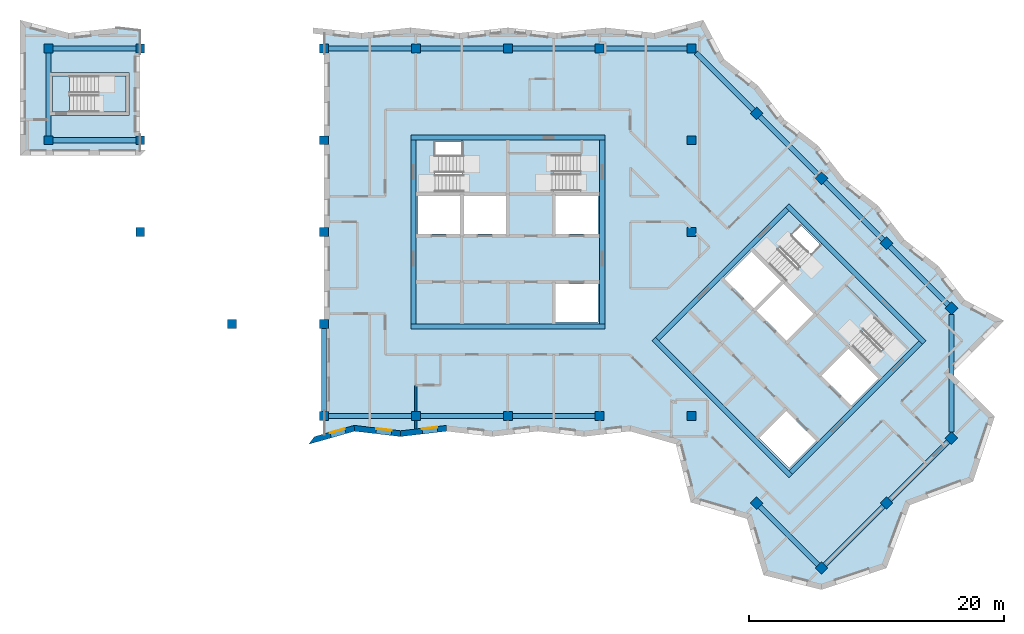
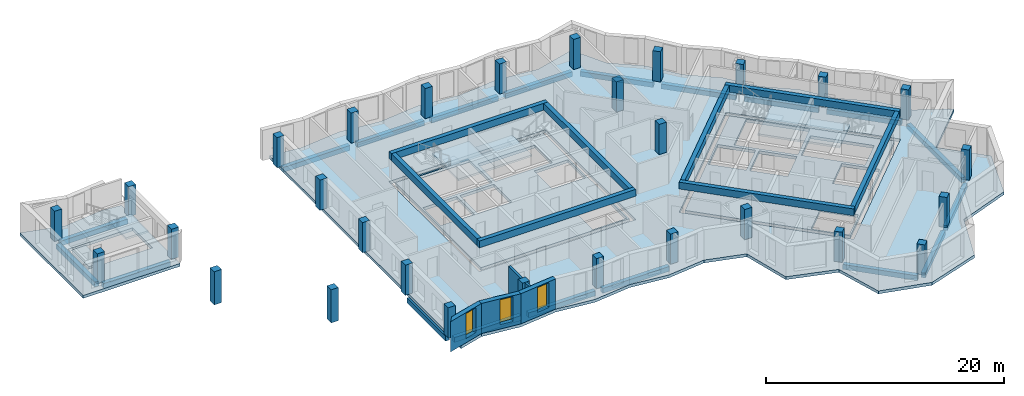
# One storey, part 1 of 12: 29 columns, 27 beams, 10 slabs, 5 walls, 3 windows, 18 openings, 5 elements without a shape of their own.
"""IFC4 building model written with IfcOpenShell, lengths in metres."""

from ifc_helpers import new_model, si_unit, direction, frame, frame_2d, origin, origin_2d, place, context, subcontext, project, spatial, polyline, rectangle, outline, extrude, material, layer, layer_set, material_profile, profile_set, type_object, element, fill, aggregate, save


model = new_model("IFC4")

# Units and contexts
model_context = context("Model", 3, precision=1e-05, world=origin(), true_north=direction((0.0, 1.0)))
body_context = subcontext(model_context, "Body", "Model", "MODEL_VIEW")
ifc_project = project(units=[si_unit("LENGTHUNIT", "METRE"), si_unit("AREAUNIT", "SQUARE_METRE"), si_unit("VOLUMEUNIT", "CUBIC_METRE"), si_unit("PLANEANGLEUNIT", "RADIAN"), si_unit("MASSUNIT", "GRAM", prefix="KILO")], contexts=[model_context])

# Site, building, storey
site_placement = place(None, origin())
site = spatial("IfcSite", under=ifc_project, at=site_placement, CompositionType="ELEMENT")
building_placement = place(site_placement, origin())
building = spatial("IfcBuilding", under=site, at=building_placement, Name="Windrow Commons", CompositionType="ELEMENT")
storey_placement = place(building_placement, frame((0.0, 0.0, 257.4)))
storey = spatial("IfcBuildingStorey", under=building, at=storey_placement, Name="L70", CompositionType="ELEMENT", Elevation=257.4)

# Columns
ifc_material_1 = material(Name="Concrete C40/50", Category="concrete")
ifc_material_profile_1 = material_profile(ifc_material_1, rectangle(XDim=0.7, YDim=0.7, at=origin_2d()))
ifc_profile_set_1 = profile_set([ifc_material_profile_1], Name="Concrete C40/50")
column_type = type_object("IfcColumnType", Name="RC COLUMN 700x700 C40/50", PredefinedType="COLUMN", material=ifc_profile_set_1)
for number, where, z_axis, x_axis, name in (
    (1, (28.8, 64.8, 0.0), (0.0, 0.0, 1.0), (1.0, 0.0, 0.0), "C-Z5-05I"),
    (2, (28.8, 72.0, 0.0), (0.0, 0.0, 1.0), (1.0, 0.0, 0.0), "C-Z5-05J"),
    (3, (36.0, 64.8, 0.0), (0.0, 0.0, 1.0), (1.0, 0.0, 0.0), "C-Z5-06I"),
    (4, (36.0, 72.0, 0.0), (0.0, 0.0, 1.0), (1.0, 0.0, 0.0), "C-Z5-06J"),
    (5, (50.4, 43.2, 0.0), (0.0, 0.0, 1.0), (1.0, 0.0, 0.0), "C-Z5-08F"),
    (6, (50.4, 50.4, 0.0), (0.0, 0.0, 1.0), (1.0, 0.0, 0.0), "C-Z5-08G"),
    (7, (50.4, 57.6, 0.0), (0.0, 0.0, 1.0), (1.0, 0.0, 0.0), "C-Z5-08H"),
    (8, (50.4, 64.8, 0.0), (0.0, 0.0, 1.0), (1.0, 0.0, 0.0), "C-Z5-08I"),
    (9, (50.4, 72.0, 0.0), (0.0, 0.0, 1.0), (1.0, 0.0, 0.0), "C-Z5-08J"),
    (10, (57.6, 43.2, 0.0), (0.0, 0.0, 1.0), (1.0, 0.0, 0.0), "C-Z5-09F"),
    (11, (57.6, 72.0, 0.0), (0.0, 0.0, 1.0), (1.0, 0.0, 0.0), "C-Z5-09J"),
    (12, (64.8, 43.2, 0.0), (0.0, 0.0, 1.0), (1.0, 0.0, 0.0), "C-Z5-10F"),
    (13, (64.8, 72.0, 0.0), (0.0, 0.0, 1.0), (1.0, 0.0, 0.0), "C-Z5-10J"),
    (14, (72.0, 43.2, 0.0), (0.0, 0.0, 1.0), (1.0, 0.0, 0.0), "C-Z5-11F"),
    (15, (72.0, 72.0, 0.0), (0.0, 0.0, 1.0), (1.0, 0.0, 0.0), "C-Z5-11J"),
    (16, (79.2, 43.2, 0.0), (0.0, 0.0, 1.0), (1.0, 0.0, 0.0), "C-Z5-12F"),
    (17, (79.2, 57.6, 0.0), (0.0, 0.0, 1.0), (1.0, 0.0, 0.0), "C-Z5-12H"),
    (18, (79.2, 64.8, 0.0), (0.0, 0.0, 1.0), (1.0, 0.0, 0.0), "C-Z5-12I"),
    (19, (79.2, 72.0, 0.0), (0.0, 0.0, 1.0), (1.0, 0.0, 0.0), "C-Z5-12J"),
    (20, (84.2912, 66.9088, 0.0), (0.0, 0.0, 1.0), (0.7071067812, -0.7071067812, 0.0), "C-Z5-P2Q"),
    (21, (89.3823, 61.8177, 0.0), (0.0, 0.0, 1.0), (0.7071067812, -0.7071067812, 0.0), "C-Z5-P3Q"),
    (22, (94.4735, 56.7265, 0.0), (0.0, 0.0, 1.0), (0.7071067812, -0.7071067812, 0.0), "C-Z5-P4Q"),
    (23, (99.5647, 51.6353, 0.0), (0.0, 0.0, 1.0), (0.7071067812, -0.7071067812, 0.0), "C-Z5-P5Q"),
    (24, (84.2912, 36.3618, 0.0), (0.0, 0.0, 1.0), (0.7071067812, -0.7071067812, 0.0), "C-Z5-P5T"),
    (25, (99.5647, 41.453, 0.0), (0.0, 0.0, 1.0), (0.7071067812, -0.7071067812, 0.0), "C-Z5-P6R"),
    (26, (94.4735, 36.3618, 0.0), (0.0, 0.0, 1.0), (0.7071067812, -0.7071067812, 0.0), "C-Z5-P6S"),
    (27, (89.3823, 31.2706, 0.0), (0.0, 0.0, 1.0), (0.7071067812, -0.7071067812, 0.0), "C-Z5-P6T"),
):
    element("IfcColumn", number, at=place(storey_placement, frame(where, z_axis=z_axis, x_axis=x_axis)), inside=storey, type_object=column_type, Name=name, PredefinedType="COLUMN", context=body_context, shape_type="SweptSolid", body=[
        extrude(rectangle(XDim=0.7, YDim=0.7, at=origin_2d()), origin(), (0.0, 0.0, 1.0), 3.1),
    ])
for number, where, z_axis, x_axis, name in (
    (28, (36.0, 57.6, -0.3), (0.0, 0.0, 1.0), (1.0, 0.0, 0.0), "C-Z5-06H"),
    (29, (43.2, 50.4, -0.3), (0.0, 0.0, 1.0), (1.0, 0.0, 0.0), "C-Z5-07G"),
):
    element("IfcColumn", number, at=place(storey_placement, frame(where, z_axis=z_axis, x_axis=x_axis)), inside=storey, type_object=column_type, Name=name, PredefinedType="COLUMN", context=body_context, shape_type="SweptSolid", body=[
        extrude(rectangle(XDim=0.7, YDim=0.7, at=origin_2d()), origin(), (0.0, 0.0, 1.0), 3.4),
    ])

# Beams
ifc_material_2 = material(Name="Concrete C40/50", Category="concrete")
ifc_material_profile_2 = material_profile(ifc_material_2, rectangle(XDim=0.4, YDim=0.7, at=origin_2d()))
ifc_profile_set_2 = profile_set([ifc_material_profile_2], Name="Concrete C40/50")
beam_type_1 = type_object("IfcBeamType", Name="RC COUPLING BEAM 400x700 C40/50", PredefinedType="LINTEL", material=ifc_profile_set_2)
for number, where, z_axis, x_axis, name in (
    (30, (57.2, 50.2, 2.75), (1.0, 0.0, 0.0), (0.0, 1.0, 0.0), "Core A coupling beam outer-S"),
    (31, (57.2, 65.0, 2.75), (1.0, 0.0, 0.0), (0.0, 1.0, 0.0), "Core A coupling beam outer-N"),
):
    element("IfcBeam", number, at=place(storey_placement, frame(where, z_axis=z_axis, x_axis=x_axis)), inside=storey, type_object=beam_type_1, Name=name, PredefinedType="LINTEL", context=body_context, shape_type="SweptSolid", body=[
        extrude(rectangle(XDim=0.4, YDim=0.7, at=origin_2d()), origin(), (0.0, 0.0, 1.0), 15.2),
    ])
for number, where, z_axis, x_axis, name in (
    (32, (57.4, 50.4, 2.75), (0.0, 1.0, 0.0), (-1.0, 0.0, 0.0), "Core A coupling beam outer-W"),
    (33, (72.2, 50.4, 2.75), (0.0, 1.0, 0.0), (-1.0, 0.0, 0.0), "Core A coupling beam outer-E"),
):
    element("IfcBeam", number, at=place(storey_placement, frame(where, z_axis=z_axis, x_axis=x_axis)), inside=storey, type_object=beam_type_1, Name=name, PredefinedType="LINTEL", context=body_context, shape_type="SweptSolid", body=[
        extrude(rectangle(XDim=0.4, YDim=0.7, at=origin_2d()), origin(), (0.0, 0.0, 1.0), 14.4),
    ])
for number, where, z_axis, x_axis, name in (
    (34, (76.2302, 49.2312, 2.75), (0.7071034917, -0.7071100706, 0.0), (0.7071100706, 0.7071034917, 0.0), "Core B coupling beam outer-S"),
    (35, (86.6953, 59.6963, 2.75), (0.7071100706, -0.7071034917, 0.0), (0.7071034917, 0.7071100706, 0.0), "Core B coupling beam outer-N"),
):
    element("IfcBeam", number, at=place(storey_placement, frame(where, z_axis=z_axis, x_axis=x_axis)), inside=storey, type_object=beam_type_1, Name=name, PredefinedType="LINTEL", context=body_context, shape_type="SweptSolid", body=[
        extrude(rectangle(XDim=0.4, YDim=0.7, at=origin_2d()), origin(), (0.0, 0.0, 1.0), 15.2),
    ])
for number, where, z_axis, x_axis, name in (
    (36, (76.513, 49.2312, 2.75), (0.7071067812, 0.7071067812, 0.0), (-0.7071067812, 0.7071067812, 0.0), "Core B coupling beam outer-W"),
    (37, (86.9782, 38.766, 2.75), (0.7071067812, 0.7071067812, 0.0), (-0.7071067812, 0.7071067812, 0.0), "Core B coupling beam outer-E"),
):
    element("IfcBeam", number, at=place(storey_placement, frame(where, z_axis=z_axis, x_axis=x_axis)), inside=storey, type_object=beam_type_1, Name=name, PredefinedType="LINTEL", context=body_context, shape_type="SweptSolid", body=[
        extrude(rectangle(XDim=0.4, YDim=0.7, at=origin_2d()), origin(), (0.0, 0.0, 1.0), 14.3999),
    ])
ifc_material_3 = material(Name="Concrete C40/50", Category="concrete")
ifc_material_profile_3 = material_profile(ifc_material_3, rectangle(XDim=0.4, YDim=0.5, at=origin_2d()))
ifc_profile_set_3 = profile_set([ifc_material_profile_3], Name="Concrete C40/50")
beam_type_2 = type_object("IfcBeamType", Name="RC EDGE BEAM 400x500 C40/50", PredefinedType="SPANDREL", material=ifc_profile_set_3)
for number, where, z_axis, x_axis, name in (
    (38, (57.25, 43.2, -0.55), (-1.0, 0.0, 0.0), (0.0, -1.0, 0.0), "Edge beam L70 001"),
    (39, (50.4, 43.55, -0.55), (0.0, 1.0, 0.0), (-1.0, 0.0, 0.0), "Edge beam L70 002"),
    (40, (35.65, 64.8, -0.55), (-1.0, 0.0, 0.0), (0.0, -1.0, 0.0), "Edge beam L70 003"),
    (41, (28.8, 65.15, -0.55), (0.0, 1.0, 0.0), (-1.0, 0.0, 0.0), "Edge beam L70 004"),
    (42, (29.15, 72.0, -0.55), (1.0, 0.0, 0.0), (0.0, 1.0, 0.0), "Edge beam L70 005"),
    (43, (50.75, 72.0, -0.55), (1.0, 0.0, 0.0), (0.0, 1.0, 0.0), "Edge beam L70 006"),
    (44, (57.95, 72.0, -0.55), (1.0, 0.0, 0.0), (0.0, 1.0, 0.0), "Edge beam L70 007"),
    (45, (65.15, 72.0, -0.55), (1.0, 0.0, 0.0), (0.0, 1.0, 0.0), "Edge beam L70 008"),
    (46, (72.35, 72.0, -0.55), (1.0, 0.0, 0.0), (0.0, 1.0, 0.0), "Edge beam L70 009"),
):
    element("IfcBeam", number, at=place(storey_placement, frame(where, z_axis=z_axis, x_axis=x_axis)), inside=storey, type_object=beam_type_2, Name=name, PredefinedType="SPANDREL", context=body_context, shape_type="SweptSolid", body=[
        extrude(rectangle(XDim=0.4, YDim=0.5, at=origin_2d()), origin(), (0.0, 0.0, 1.0), 6.5),
    ])
beam_1_placement = place(storey_placement, frame((79.55, 71.65, -0.55), z_axis=(0.7071067812, -0.7071067812, 0.0), x_axis=(0.7071067812, 0.7071067812, 0.0)))
element("IfcBeam", 47, at=beam_1_placement, inside=storey, type_object=beam_type_2, Name="Edge beam L70 010", PredefinedType="SPANDREL", context=body_context, shape_type="SweptSolid", body=[
    extrude(rectangle(XDim=0.4, YDim=0.5, at=origin_2d()), origin(), (0.0, 0.0, 1.0), 6.3551),
])
beam_2_placement = place(storey_placement, frame((84.5387, 66.6613, -0.55), z_axis=(0.7071067812, -0.7071067812, 0.0), x_axis=(0.7071067812, 0.7071067812, 0.0)))
element("IfcBeam", 48, at=beam_2_placement, inside=storey, type_object=beam_type_2, Name="Edge beam L70 011", PredefinedType="SPANDREL", context=body_context, shape_type="SweptSolid", body=[
    extrude(rectangle(XDim=0.4, YDim=0.5, at=origin_2d()), origin(), (0.0, 0.0, 1.0), 6.4999),
])
for number, where, z_axis, x_axis, name in (
    (49, (89.6298, 61.5702, -0.55), (0.7071067812, -0.7071067812, 0.0), (0.7071067812, 0.7071067812, 0.0), "Edge beam L70 012"),
    (50, (94.721, 56.479, -0.55), (0.7071067812, -0.7071067812, 0.0), (0.7071067812, 0.7071067812, 0.0), "Edge beam L70 013"),
):
    element("IfcBeam", number, at=place(storey_placement, frame(where, z_axis=z_axis, x_axis=x_axis)), inside=storey, type_object=beam_type_2, Name=name, PredefinedType="SPANDREL", context=body_context, shape_type="SweptSolid", body=[
        extrude(rectangle(XDim=0.4, YDim=0.5, at=origin_2d()), origin(), (0.0, 0.0, 1.0), 6.5),
    ])
beam_3_placement = place(storey_placement, frame((99.5647, 51.1403, -0.55), z_axis=(0.0, -1.0, 0.0), x_axis=(1.0, 0.0, 0.0)))
element("IfcBeam", 51, at=beam_3_placement, inside=storey, type_object=beam_type_2, Name="Edge beam L70 014", PredefinedType="SPANDREL", context=body_context, shape_type="SweptSolid", body=[
    extrude(rectangle(XDim=0.4, YDim=0.5, at=origin_2d()), origin(), (0.0, 0.0, 1.0), 9.1923),
])
for number, where, z_axis, x_axis, name in (
    (52, (99.3172, 41.2055, -0.55), (-0.7071067812, -0.7071067812, 0.0), (0.7071067812, -0.7071067812, 0.0), "Edge beam L70 015"),
    (53, (94.226, 36.1143, -0.55), (-0.7071067812, -0.7071067812, 0.0), (0.7071067812, -0.7071067812, 0.0), "Edge beam L70 016"),
):
    element("IfcBeam", number, at=place(storey_placement, frame(where, z_axis=z_axis, x_axis=x_axis)), inside=storey, type_object=beam_type_2, Name=name, PredefinedType="SPANDREL", context=body_context, shape_type="SweptSolid", body=[
        extrude(rectangle(XDim=0.4, YDim=0.5, at=origin_2d()), origin(), (0.0, 0.0, 1.0), 6.5),
    ])
beam_4_placement = place(storey_placement, frame((89.1348, 31.5181, -0.55), z_axis=(-0.7070990888, 0.7071144735, 0.0), x_axis=(-0.7071144735, -0.7070990888, 0.0)))
element("IfcBeam", 54, at=beam_4_placement, inside=storey, type_object=beam_type_2, Name="Edge beam L70 017", PredefinedType="SPANDREL", context=body_context, shape_type="SweptSolid", body=[
    extrude(rectangle(XDim=0.4, YDim=0.5, at=origin_2d()), origin(), (0.0, 0.0, 1.0), 6.4999),
])
for number, where, z_axis, x_axis, name in (
    (55, (71.65, 43.2, -0.55), (-1.0, 0.0, 0.0), (0.0, -1.0, 0.0), "Edge beam L70 018"),
    (56, (64.45, 43.2, -0.55), (-1.0, 0.0, 0.0), (0.0, -1.0, 0.0), "Edge beam L70 019"),
):
    element("IfcBeam", number, at=place(storey_placement, frame(where, z_axis=z_axis, x_axis=x_axis)), inside=storey, type_object=beam_type_2, Name=name, PredefinedType="SPANDREL", context=body_context, shape_type="SweptSolid", body=[
        extrude(rectangle(XDim=0.4, YDim=0.5, at=origin_2d()), origin(), (0.0, 0.0, 1.0), 6.5),
    ])

# Slab, openings
ifc_material_4 = material(Name="Concrete C40/50", Category="concrete")
ifc_layer_1 = layer(ifc_material_4, 0.3)
ifc_layer_set_1 = layer_set([ifc_layer_1], Name="CORE FLOOR SLAB 300 C40/50")
slab_type_1 = type_object("IfcSlabType", Name="CORE FLOOR SLAB 300 C40/50", PredefinedType="FLOOR", material=ifc_layer_set_1)
placement_1 = place(storey_placement, frame((0.0, 0.0, -0.3)))
slab_1 = element("IfcSlab", 57, at=placement_1, inside=storey, type_object=slab_type_1, Name="S-L70-core-A", PredefinedType="FLOOR", context=body_context, shape_type="SweptSolid", body=[
    extrude(outline(polyline([(57.6, 50.4), (72.0, 50.4), (72.0, 64.8), (57.6, 64.8), (57.6, 50.4)]), holes=[polyline([(68.55, 50.55), (71.85, 50.55), (71.85, 53.55), (68.55, 53.55), (68.55, 50.55)]), polyline([(57.75, 57.45), (61.05, 57.45), (61.05, 60.45), (57.75, 60.45), (57.75, 57.45)]), polyline([(61.35, 57.45), (64.65, 57.45), (64.65, 60.45), (61.35, 60.45), (61.35, 57.45)]), polyline([(68.55, 57.45), (71.85, 57.45), (71.85, 60.45), (68.55, 60.45), (68.55, 57.45)]), polyline([(59.1, 60.75), (64.65, 60.75), (64.65, 64.65), (59.1, 64.65), (59.1, 60.75)]), polyline([(64.95, 60.75), (70.5, 60.75), (70.5, 63.705), (64.95, 63.705), (64.95, 60.75)])]), origin(), (0.0, 0.0, 1.0), 0.3),
])
opening_1_placement = place(placement_1, origin())
element("IfcOpeningElement", 58, at=opening_1_placement, cuts=slab_1, Name="Slab opening S-L70-core-A 1", PredefinedType="OPENING", context=body_context, shape_type="SweptSolid", body=[
    extrude(outline(polyline([(68.555, 50.555), (68.555, 53.545), (71.845, 53.545), (71.845, 50.555), (68.555, 50.555)])), origin(), (0.0, 0.0, 1.0), 0.3),
])
opening_2_placement = place(placement_1, origin())
element("IfcOpeningElement", 59, at=opening_2_placement, cuts=slab_1, Name="Slab opening S-L70-core-A 2", PredefinedType="OPENING", context=body_context, shape_type="SweptSolid", body=[
    extrude(outline(polyline([(57.755, 57.455), (57.755, 60.445), (61.045, 60.445), (61.045, 57.455), (57.755, 57.455)])), origin(), (0.0, 0.0, 1.0), 0.3),
])
opening_3_placement = place(placement_1, origin())
element("IfcOpeningElement", 60, at=opening_3_placement, cuts=slab_1, Name="Slab opening S-L70-core-A 3", PredefinedType="OPENING", context=body_context, shape_type="SweptSolid", body=[
    extrude(outline(polyline([(61.355, 57.455), (61.355, 60.445), (64.645, 60.445), (64.645, 57.455), (61.355, 57.455)])), origin(), (0.0, 0.0, 1.0), 0.3),
])
opening_4_placement = place(placement_1, origin())
element("IfcOpeningElement", 61, at=opening_4_placement, cuts=slab_1, Name="Slab opening S-L70-core-A 4", PredefinedType="OPENING", context=body_context, shape_type="SweptSolid", body=[
    extrude(outline(polyline([(68.555, 57.455), (68.555, 60.445), (71.845, 60.445), (71.845, 57.455), (68.555, 57.455)])), origin(), (0.0, 0.0, 1.0), 0.3),
])
opening_5_placement = place(placement_1, origin())
element("IfcOpeningElement", 62, at=opening_5_placement, cuts=slab_1, Name="Slab opening S-L70-core-A 5", PredefinedType="OPENING", context=body_context, shape_type="SweptSolid", body=[
    extrude(outline(polyline([(59.105, 60.755), (59.105, 64.645), (64.645, 64.645), (64.645, 60.755), (59.105, 60.755)])), origin(), (0.0, 0.0, 1.0), 0.3),
])
opening_6_placement = place(placement_1, origin())
element("IfcOpeningElement", 63, at=opening_6_placement, cuts=slab_1, Name="Slab opening S-L70-core-A 6", PredefinedType="OPENING", context=body_context, shape_type="SweptSolid", body=[
    extrude(outline(polyline([(64.955, 60.755), (64.955, 63.7), (70.495, 63.7), (70.495, 60.755), (64.955, 60.755)])), origin(), (0.0, 0.0, 1.0), 0.3),
])

slab_2 = element("IfcSlab", 64, at=placement_1, inside=storey, type_object=slab_type_1, Name="S-L70-core-B", PredefinedType="FLOOR", context=body_context, shape_type="SweptSolid", body=[
    extrude(outline(polyline([(76.6544, 49.0897), (86.8368, 38.9074), (97.0191, 49.0897), (86.8368, 59.2721), (76.6544, 49.0897)]), holes=[polyline([(84.5033, 41.453), (86.8368, 39.1195), (88.9581, 41.2409), (86.6246, 43.5743), (84.5033, 41.453)]), polyline([(81.7456, 53.9688), (84.079, 51.6353), (86.2004, 53.7566), (83.8669, 56.0901), (81.7456, 53.9688)]), polyline([(84.2912, 51.4232), (86.6246, 49.0897), (88.7459, 51.2111), (86.4125, 53.5445), (84.2912, 51.4232)]), polyline([(89.3823, 46.332), (91.7158, 43.9986), (93.8371, 46.1199), (91.5037, 48.4533), (89.3823, 46.332)]), polyline([(85.0336, 55.3476), (88.9581, 51.4232), (91.7158, 54.1809), (87.7913, 58.1054), (85.0336, 55.3476)]), polyline([(89.1702, 51.2111), (93.0946, 47.2866), (95.1841, 49.3761), (91.2597, 53.3006), (89.1702, 51.2111)])]), origin(), (0.0, 0.0, 1.0), 0.3),
])
opening_7_placement = place(placement_1, origin())
element("IfcOpeningElement", 65, at=opening_7_placement, cuts=slab_2, Name="Slab opening S-L70-core-B 1", PredefinedType="OPENING", context=body_context, shape_type="SweptSolid", body=[
    extrude(outline(polyline([(84.5104, 41.453), (86.6246, 43.5672), (88.951, 41.2409), (86.8368, 39.1266), (84.5104, 41.453)])), origin(), (0.0, 0.0, 1.0), 0.3),
])
opening_8_placement = place(placement_1, origin())
element("IfcOpeningElement", 66, at=opening_8_placement, cuts=slab_2, Name="Slab opening S-L70-core-B 2", PredefinedType="OPENING", context=body_context, shape_type="SweptSolid", body=[
    extrude(outline(polyline([(81.7527, 53.9688), (83.8669, 56.083), (86.1933, 53.7566), (84.079, 51.6424), (81.7527, 53.9688)])), origin(), (0.0, 0.0, 1.0), 0.3),
])
opening_9_placement = place(placement_1, origin())
element("IfcOpeningElement", 67, at=opening_9_placement, cuts=slab_2, Name="Slab opening S-L70-core-B 3", PredefinedType="OPENING", context=body_context, shape_type="SweptSolid", body=[
    extrude(outline(polyline([(84.2983, 51.4232), (86.4125, 53.5374), (88.7388, 51.2111), (86.6246, 49.0968), (84.2983, 51.4232)])), origin(), (0.0, 0.0, 1.0), 0.3),
])
opening_10_placement = place(placement_1, origin())
element("IfcOpeningElement", 68, at=opening_10_placement, cuts=slab_2, Name="Slab opening S-L70-core-B 4", PredefinedType="OPENING", context=body_context, shape_type="SweptSolid", body=[
    extrude(outline(polyline([(89.3894, 46.332), (91.5037, 48.4462), (93.83, 46.1199), (91.7158, 44.0057), (89.3894, 46.332)])), origin(), (0.0, 0.0, 1.0), 0.3),
])
opening_11_placement = place(placement_1, origin())
element("IfcOpeningElement", 69, at=opening_11_placement, cuts=slab_2, Name="Slab opening S-L70-core-B 5", PredefinedType="OPENING", context=body_context, shape_type="SweptSolid", body=[
    extrude(outline(polyline([(85.0407, 55.3476), (87.7913, 58.0983), (91.7087, 54.1809), (88.9581, 51.4303), (85.0407, 55.3476)])), origin(), (0.0, 0.0, 1.0), 0.3),
])
opening_12_placement = place(placement_1, origin())
element("IfcOpeningElement", 70, at=opening_12_placement, cuts=slab_2, Name="Slab opening S-L70-core-B 6", PredefinedType="OPENING", context=body_context, shape_type="SweptSolid", body=[
    extrude(outline(polyline([(89.1773, 51.2111), (91.2597, 53.2935), (95.177, 49.3761), (93.0946, 47.2937), (89.1773, 51.2111)])), origin(), (0.0, 0.0, 1.0), 0.3),
])

# Slab
element("IfcSlab", 71, at=placement_1, inside=storey, type_object=slab_type_1, Name="S-L70-stub-stair", PredefinedType="FLOOR", context=body_context, shape_type="SweptSolid", body=[
    extrude(outline(polyline([(29.125, 67.0), (30.475, 67.0), (30.475, 69.85), (29.125, 69.85), (29.125, 67.0)])), origin(), (0.0, 0.0, 1.0), 0.3),
])

# Stair, slab
ifc_material_5 = material(Name="Concrete C40/50", Category="concrete")
stair_type = type_object("IfcStairType", Name="Core stair", PredefinedType="HALF_TURN_STAIR", material=ifc_material_5)
placement_2 = place(storey_placement, origin())
stair_1 = element("IfcStair", 72, at=placement_2, inside=storey, type_object=stair_type, Name="L70 Exit stair A1 core A", PredefinedType="HALF_TURN_STAIR")
ifc_material_6 = material(Name="Concrete C40/50", Category="concrete")
ifc_layer_2 = layer(ifc_material_6, 0.2)
ifc_layer_set_2 = layer_set([ifc_layer_2], Name="Core stair landing")
slab_type_2 = type_object("IfcSlabType", Name="Core stair landing", PredefinedType="LANDING", material=ifc_layer_set_2)
placement_3 = place(storey_placement, frame((0.0, 0.0, 1.5)))
slab_4 = element("IfcSlab", 73, at=placement_3, type_object=slab_type_2, Name="ST-A1 landing 1", PredefinedType="LANDING", context=body_context, shape_type="SweptSolid", body=[
    extrude(outline(polyline([(61.22, 60.5), (64.8, 60.5), (64.8, 64.9), (61.22, 64.9), (61.22, 60.5)])), origin(), (0.0, 0.0, 1.0), 0.2),
])
aggregate(stair_1, [slab_4])

stair_2 = element("IfcStair", 74, at=placement_2, inside=storey, type_object=stair_type, Name="L70 Exit stair A2 core A", PredefinedType="HALF_TURN_STAIR")
slab_5 = element("IfcSlab", 75, at=placement_3, type_object=slab_type_2, Name="ST-A2 landing 1", PredefinedType="LANDING", context=body_context, shape_type="SweptSolid", body=[
    extrude(outline(polyline([(64.8, 60.5), (68.38, 60.5), (68.38, 63.855), (64.8, 63.855), (64.8, 60.5)])), origin(), (0.0, 0.0, 1.0), 0.2),
])
aggregate(stair_2, [slab_5])

stair_3 = element("IfcStair", 76, at=placement_2, inside=storey, type_object=stair_type, Name="L70 Exit stair B1 core B", PredefinedType="HALF_TURN_STAIR")
slab_6 = element("IfcSlab", 77, at=placement_3, type_object=slab_type_2, Name="ST-B1 landing 1", PredefinedType="LANDING", context=body_context, shape_type="SweptSolid", body=[
    extrude(outline(polyline([(86.3559, 53.6718), (88.8874, 51.1403), (91.9986, 54.2516), (89.4672, 56.7831), (86.3559, 53.6718)])), origin(), (0.0, 0.0, 1.0), 0.2),
])
aggregate(stair_3, [slab_6])

stair_4 = element("IfcStair", 78, at=placement_2, inside=storey, type_object=stair_type, Name="L70 Exit stair B2 core B", PredefinedType="HALF_TURN_STAIR")
slab_7 = element("IfcSlab", 79, at=placement_3, type_object=slab_type_2, Name="ST-B2 landing 1", PredefinedType="LANDING", context=body_context, shape_type="SweptSolid", body=[
    extrude(outline(polyline([(88.8874, 51.1403), (91.4188, 48.6089), (93.7911, 50.9812), (91.2597, 53.5127), (88.8874, 51.1403)])), origin(), (0.0, 0.0, 1.0), 0.2),
])
aggregate(stair_4, [slab_7])

stair_5 = element("IfcStair", 80, at=placement_2, inside=storey, type_object=stair_type, Name="L70 Exit stair W", PredefinedType="HALF_TURN_STAIR")
slab_8 = element("IfcSlab", 81, at=placement_3, type_object=slab_type_2, Name="ST-W landing 1", PredefinedType="LANDING", context=body_context, shape_type="SweptSolid", body=[
    extrude(outline(polyline([(32.715, 67.0), (34.875, 67.0), (34.875, 69.85), (32.715, 69.85), (32.715, 67.0)])), origin(), (0.0, 0.0, 1.0), 0.2),
])
aggregate(stair_5, [slab_8])

# Slab, opening
ifc_material_7 = material(Name="Concrete C40/50", Category="concrete")
ifc_layer_3 = layer(ifc_material_7, 0.3)
ifc_layer_set_3 = layer_set([ifc_layer_3], Name="FLOOR SLAB 300 C40/50")
slab_type_3 = type_object("IfcSlabType", Name="FLOOR SLAB 300 C40/50", PredefinedType="FLOOR", material=ifc_layer_set_3)
slab_9 = element("IfcSlab", 82, at=placement_1, inside=storey, type_object=slab_type_3, Name="S-L70-floor-1", PredefinedType="FLOOR", context=body_context, shape_type="SweptSolid", body=[
    extrude(outline(polyline([(26.579, 63.6), (36.0, 63.6), (36.0, 73.4259), (36.121, 73.4126), (34.2277, 73.621), (30.4034, 73.2), (26.579, 74.221), (26.579, 63.6)]), holes=[polyline([(28.875, 66.75), (28.875, 70.1), (35.125, 70.1), (35.125, 66.75), (28.875, 66.75)])]), origin(), (0.0, 0.0, 1.0), 0.3),
])
opening_13_placement = place(placement_1, origin())
element("IfcOpeningElement", 83, at=opening_13_placement, cuts=slab_9, Name="Slab opening S-L70-floor-1 1", PredefinedType="OPENING", context=body_context, shape_type="SweptSolid", body=[
    extrude(outline(polyline([(28.88, 66.755), (28.88, 70.095), (35.12, 70.095), (35.12, 66.755), (28.88, 66.755)])), origin(), (0.0, 0.0, 1.0), 0.3),
])

# Slab, openings
slab_10 = element("IfcSlab", 84, at=placement_1, inside=storey, type_object=slab_type_3, Name="S-L70-floor-2", PredefinedType="FLOOR", context=body_context, shape_type="SweptSolid", body=[
    extrude(outline(polyline([(84.8339, 30.7279), (89.3823, 29.5736), (94.4735, 31.2706), (96.312, 36.2204), (101.2617, 38.0588), (102.9588, 43.15), (99.5647, 46.5442), (103.6808, 50.6603), (100.6027, 52.2944), (98.5443, 54.9481), (95.8906, 57.0065), (93.8322, 59.6603), (91.1784, 61.7187), (89.12, 64.3724), (86.4663, 66.4308), (84.4079, 69.0846), (81.7541, 71.143), (80.12, 74.221), (76.2957, 73.2), (72.4713, 73.621), (68.6469, 73.2), (64.8226, 73.621), (60.9982, 73.2), (57.1739, 73.621), (53.3495, 73.2), (50.4, 73.5247), (50.4, 41.3196), (52.7971, 42.0), (56.3942, 41.579), (59.9913, 42.0), (63.5885, 41.579), (67.1856, 42.0), (70.7827, 41.579), (74.3798, 42.0), (77.9769, 40.979), (79.1312, 36.4306), (83.5382, 35.1349), (84.8339, 30.7279)]), holes=[polyline([(86.8368, 59.8378), (97.5848, 49.0897), (86.8368, 38.3417), (76.0887, 49.0897), (86.8368, 59.8378)]), polyline([(57.2, 65.2), (72.4, 65.2), (72.4, 50.0), (57.2, 50.0), (57.2, 65.2)])]), origin(), (0.0, 0.0, 1.0), 0.3),
])
opening_14_placement = place(placement_1, origin())
element("IfcOpeningElement", 85, at=opening_14_placement, cuts=slab_10, Name="Slab opening S-L70-floor-2 1", PredefinedType="OPENING", context=body_context, shape_type="SweptSolid", body=[
    extrude(outline(polyline([(86.8368, 59.8307), (97.5777, 49.0897), (86.8368, 38.3488), (76.0958, 49.0897), (86.8368, 59.8307)])), origin(), (0.0, 0.0, 1.0), 0.3),
])
opening_15_placement = place(placement_1, origin())
element("IfcOpeningElement", 86, at=opening_15_placement, cuts=slab_10, Name="Slab opening S-L70-floor-2 2", PredefinedType="OPENING", context=body_context, shape_type="SweptSolid", body=[
    extrude(outline(polyline([(57.205, 65.195), (72.395, 65.195), (72.395, 50.005), (57.205, 50.005), (57.205, 65.195)])), origin(), (0.0, 0.0, 1.0), 0.3),
])

# Wall, opening, window
ifc_material_8 = material(Name="Brick masonry, red clay brick", Category="masonry")
ifc_layer_4 = layer(ifc_material_8, 0.45)
ifc_layer_set_4 = layer_set([ifc_layer_4], Name="Brick facade wall 450")
wall_type_1 = type_object("IfcWallType", Name="Brick facade wall 450", PredefinedType="SOLIDWALL", material=ifc_layer_set_4)
wall_1_placement = place(storey_placement, frame((49.425, 41.2768, 0.0), z_axis=(0.0, 0.0, 1.0), x_axis=(0.9620019919, 0.2730424283, 0.0)))
wall_1 = element("IfcWall", 87, at=wall_1_placement, inside=storey, type_object=wall_type_1, Name="Brick facade wall L70 38", PredefinedType="SOLIDWALL", context=body_context, shape_type="SweptSolid", body=[
    extrude(outline(polyline([(-0.2978, -0.225), (3.4415, -0.225), (3.5311, 0.225), (0.2978, 0.225), (-0.2978, -0.225)])), origin(), (0.0, 0.0, 1.0), 3.1),
])
opening_16_placement = place(wall_1_placement, frame((1.5499, 0.0, 0.45)))
opening_16 = element("IfcOpeningElement", 88, at=opening_16_placement, cuts=wall_1, Name="Opening W7F", PredefinedType="OPENING", context=body_context, shape_type="SweptSolid", body=[
    extrude(rectangle(XDim=1.2, YDim=2.55, at=frame_2d((0.6, 1.275))), frame((0.0, 0.235, 0.0), z_axis=(0.0, -1.0, 0.0), x_axis=(1.0, 0.0, 0.0)), (0.0, 0.0, 1.0), 0.47),
])
ifc_material_9 = material(Name="Clear float glass in anodised aluminium frame", Category="aluminium")
window_type = type_object("IfcWindowType", Name="Window W7 notch 1200x2550", PartitioningType="SINGLE_PANEL", PredefinedType="WINDOW", material=ifc_material_9)
window_1_placement = place(opening_16_placement, origin())
window_1 = element("IfcWindow", 89, at=window_1_placement, inside=storey, type_object=window_type, Name="Window L70 38.1", OverallHeight=2.55, OverallWidth=1.2, PartitioningType="SINGLE_PANEL", PredefinedType="WINDOW", context=body_context, shape_type="SweptSolid", body=[
    extrude(rectangle(XDim=1.2, YDim=2.55, at=frame_2d((0.6, 1.275))), frame((0.0, 0.205, 0.0), z_axis=(0.0, -1.0, 0.0), x_axis=(1.0, 0.0, 0.0)), (0.0, 0.0, 1.0), 0.06),
])
fill(opening_16, window_1)

wall_2_placement = place(storey_placement, frame((52.7788, 42.2287, 0.0), z_axis=(0.0, 0.0, 1.0), x_axis=(0.9932186927, -0.1162610363, 0.0)))
wall_2 = element("IfcWall", 90, at=wall_2_placement, inside=storey, type_object=wall_type_1, Name="Brick facade wall L70 39", PredefinedType="SOLIDWALL", context=body_context, shape_type="SweptSolid", body=[
    extrude(outline(polyline([(0.0448, -0.225), (3.6665, -0.225), (3.6138, 0.225), (-0.0448, 0.225), (0.0448, -0.225)])), origin(), (0.0, 0.0, 1.0), 3.1),
])
opening_17_placement = place(wall_2_placement, frame((1.7217, 0.0, 0.45)))
opening_17 = element("IfcOpeningElement", 91, at=opening_17_placement, cuts=wall_2, Name="Opening W7F", PredefinedType="OPENING", context=body_context, shape_type="SweptSolid", body=[
    extrude(rectangle(XDim=1.2, YDim=2.55, at=frame_2d((0.6, 1.275))), frame((0.0, 0.235, 0.0), z_axis=(0.0, -1.0, 0.0), x_axis=(1.0, 0.0, 0.0)), (0.0, 0.0, 1.0), 0.47),
])
window_2_placement = place(opening_17_placement, origin())
window_2 = element("IfcWindow", 92, at=window_2_placement, inside=storey, type_object=window_type, Name="Window L70 39.1", OverallHeight=2.55, OverallWidth=1.2, PartitioningType="SINGLE_PANEL", PredefinedType="WINDOW", context=body_context, shape_type="SweptSolid", body=[
    extrude(rectangle(XDim=1.2, YDim=2.55, at=frame_2d((0.6, 1.275))), frame((0.0, 0.205, 0.0), z_axis=(0.0, -1.0, 0.0), x_axis=(1.0, 0.0, 0.0)), (0.0, 0.0, 1.0), 0.06),
])
fill(opening_17, window_2)

wall_3_placement = place(storey_placement, frame((56.3942, 41.8055, 0.0), z_axis=(0.0, 0.0, 1.0), x_axis=(0.9932205385, 0.1162452661, 0.0)))
wall_3 = element("IfcWall", 93, at=wall_3_placement, inside=storey, type_object=wall_type_1, Name="Brick facade wall L70 40", PredefinedType="SOLIDWALL", context=body_context, shape_type="SweptSolid", body=[
    extrude(outline(polyline([(-0.0263, -0.225), (3.5953, -0.225), (3.648, 0.225), (0.0263, 0.225), (-0.0263, -0.225)])), origin(), (0.0, 0.0, 1.0), 3.1),
])
opening_18_placement = place(wall_3_placement, frame((1.7178, 0.0, 0.45)))
opening_18 = element("IfcOpeningElement", 94, at=opening_18_placement, cuts=wall_3, Name="Opening W7F", PredefinedType="OPENING", context=body_context, shape_type="SweptSolid", body=[
    extrude(rectangle(XDim=1.2, YDim=2.55, at=frame_2d((0.6, 1.275))), frame((0.0, 0.235, 0.0), z_axis=(0.0, -1.0, 0.0), x_axis=(1.0, 0.0, 0.0)), (0.0, 0.0, 1.0), 0.47),
])
window_3_placement = place(opening_18_placement, origin())
window_3 = element("IfcWindow", 95, at=window_3_placement, inside=storey, type_object=window_type, Name="Window L70 40.1", OverallHeight=2.55, OverallWidth=1.2, PartitioningType="SINGLE_PANEL", PredefinedType="WINDOW", context=body_context, shape_type="SweptSolid", body=[
    extrude(rectangle(XDim=1.2, YDim=2.55, at=frame_2d((0.6, 1.275))), frame((0.0, 0.205, 0.0), z_axis=(0.0, -1.0, 0.0), x_axis=(1.0, 0.0, 0.0)), (0.0, 0.0, 1.0), 0.06),
])
fill(opening_18, window_3)

# Walls
ifc_material_10 = material(Name="Blockwork partition", Category="masonry")
ifc_layer_5 = layer(ifc_material_10, 0.2)
ifc_layer_set_5 = layer_set([ifc_layer_5], Name="IW-PARTY-200")
wall_type_2 = type_object("IfcWallType", Name="IW-PARTY-200", PredefinedType="PARTITIONING", material=ifc_layer_set_5)
wall_4_placement = place(storey_placement, frame((57.6, 43.55, 0.0), z_axis=(0.0, 0.0, 1.0), x_axis=(0.0, 1.0, 0.0)))
element("IfcWall", 96, at=wall_4_placement, inside=storey, type_object=wall_type_2, Name="W-L70-W063", PredefinedType="PARTITIONING", context=body_context, shape_type="SweptSolid", body=[
    extrude(rectangle(XDim=2.05, YDim=0.2, at=frame_2d((1.025, 0.0))), origin(), (0.0, 0.0, 1.0), 3.1),
])
wall_5_placement = place(storey_placement, frame((57.6, 42.1732, 0.0), z_axis=(0.0, 0.0, 1.0), x_axis=(0.0, 1.0, 0.0)))
element("IfcWall", 97, at=wall_5_placement, inside=storey, type_object=wall_type_2, Name="W-L70-W086", PredefinedType="PARTITIONING", context=body_context, shape_type="SweptSolid", body=[
    extrude(rectangle(XDim=0.6768, YDim=0.2, at=frame_2d((0.3384, 0.0))), origin(), (0.0, 0.0, 1.0), 3.1),
])

save(model, "model.ifc")
